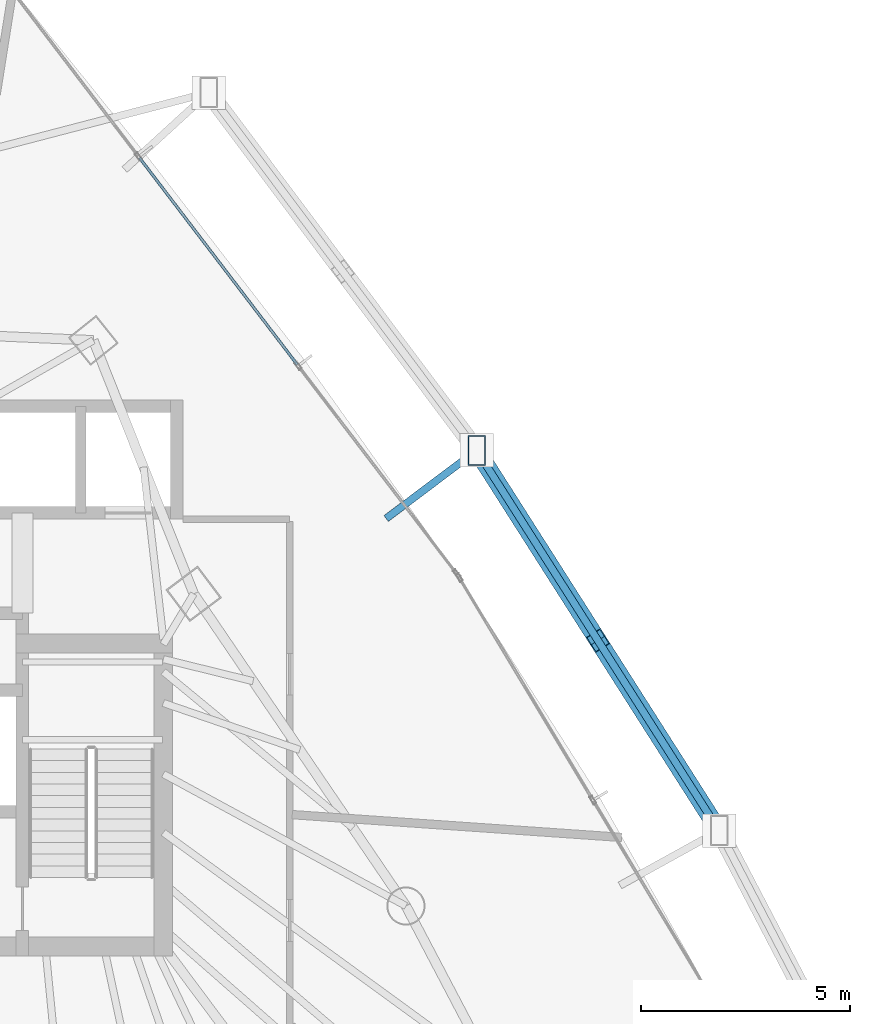
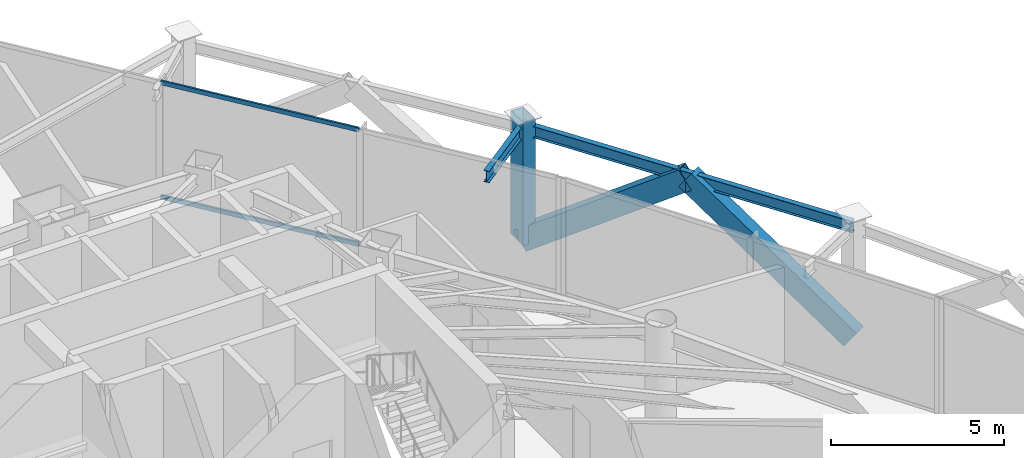
# One storey, part 25 of 33: 5 members, 2 beams, 1 element without a shape of its own.
"""IFC4 building model written with IfcOpenShell, lengths in metres."""

from ifc_helpers import new_model, si_unit, direction, frame, origin, origin_2d, place, context, subcontext, project, spatial, hollow_rectangle, i_section, extrude, material, layer, layer_set, material_profile, profile_set, type_object, element, aggregate, save


model = new_model("IFC4")

# Units and contexts
model_context = context("Model", 3, precision=1e-05, world=origin(), true_north=direction((0.0, 1.0)))
body_context = subcontext(model_context, "Body", "Model", "MODEL_VIEW")
ifc_project = project(units=[si_unit("LENGTHUNIT", "METRE"), si_unit("AREAUNIT", "SQUARE_METRE"), si_unit("VOLUMEUNIT", "CUBIC_METRE"), si_unit("PLANEANGLEUNIT", "RADIAN"), si_unit("MASSUNIT", "GRAM", prefix="KILO")], contexts=[model_context])

# Site, building, storey
site_placement = place(None, origin())
site = spatial("IfcSite", under=ifc_project, at=site_placement, CompositionType="ELEMENT")
building_placement = place(site_placement, origin())
building = spatial("IfcBuilding", under=site, at=building_placement, Name="Orvanel Arch Residences", CompositionType="ELEMENT")
storey_placement = place(building_placement, frame((0.0, 0.0, 59.89990234375)))
storey = spatial("IfcBuildingStorey", under=building, at=storey_placement, Name="L16", CompositionType="ELEMENT", Elevation=59.89990234375)

# Members
ifc_material_1 = material(Name="Structural steel AS/NZS 3678 Grade 350", Category="steel")
ifc_material_profile_1 = material_profile(ifc_material_1, hollow_rectangle(XDim=0.419921875, YDim=0.719970703125, WallThickness=0.02490234375, at=origin_2d()), Name="RHS720x420x25")
ifc_profile_set_1 = profile_set([ifc_material_profile_1], Name="Structural steel AS/NZS 3678 Grade 350")
member_type_1 = type_object("IfcMemberType", Name="BR-720RHS-EXT", PredefinedType="BRACE", material=ifc_profile_set_1)
member_1_placement = place(storey_placement, frame((52.926025390625, 29.443115234375, 0.0), z_axis=(-0.435313326687, 0.683074367325, 0.586439865896), x_axis=(-0.84330921779, -0.537428658698, 0.0)))
element("IfcMember", 1, at=member_1_placement, inside=storey, type_object=member_type_1, Name="L16 Exterior Sky-Garden V-Frame Chevron F3B2.1", PredefinedType="BRACE", context=body_context, shape_type="SweptSolid", body=[
    extrude(hollow_rectangle(XDim=0.419921875, YDim=0.719970703125, WallThickness=0.02490234375, at=origin_2d()), origin(), (0.0, 0.0, 1.0), 6.662109375),
])
member_2_placement = place(storey_placement, frame((47.1259765625, 38.544921875, 0.0), z_axis=(0.435272728504, -0.683104809904, 0.586434540684), x_axis=(0.843342787355, 0.537375979196, 0.0)))
element("IfcMember", 2, at=member_2_placement, inside=storey, type_object=member_type_1, Name="L16 Exterior Sky-Garden V-Frame Chevron F3B2.2", PredefinedType="BRACE", context=body_context, shape_type="SweptSolid", body=[
    extrude(hollow_rectangle(XDim=0.419921875, YDim=0.719970703125, WallThickness=0.02490234375, at=origin_2d()), origin(), (0.0, 0.0, 1.0), 6.662353515625),
])
ifc_material_profile_2 = material_profile(ifc_material_1, hollow_rectangle(XDim=0.419921875, YDim=0.719970703125, WallThickness=0.02490234375, at=origin_2d()), Name="RHS720x420x25")
ifc_profile_set_2 = profile_set([ifc_material_profile_2], Name="Structural steel AS/NZS 3678 Grade 350")
member_type_2 = type_object("IfcMemberType", Name="CH-720RHS-EXT", PredefinedType="CHORD", material=ifc_profile_set_2)
member_3_placement = place(storey_placement, frame((47.1259765625, 38.544921875, 0.0), z_axis=(0.0, 0.0, 1.0), x_axis=(1.0, 0.0, 0.0)))
element("IfcMember", 3, at=member_3_placement, inside=storey, type_object=member_type_2, Name="L16 Outer Perimeter Frame Post 11", PredefinedType="CHORD", context=body_context, shape_type="SweptSolid", body=[
    extrude(hollow_rectangle(XDim=0.419921875, YDim=0.719970703125, WallThickness=0.02490234375, at=origin_2d()), origin(), (0.0, 0.0, 1.0), 4.35009765625),
])

# Beams
ifc_material_2 = material(Name="Structural steel AS/NZS 3679.1 Grade 300 (300 MPa)", Category="steel")
ifc_material_profile_3 = material_profile(ifc_material_2, i_section(OverallWidth=0.177978515625, OverallDepth=0.406005859375, WebThickness=0.0078125, FlangeThickness=0.0126953125, at=origin_2d()), Name="410UB59.7")
ifc_profile_set_3 = profile_set([ifc_material_profile_3], Name="Structural steel AS/NZS 3679.1 Grade 300 (300 MPa)")
beam_type = type_object("IfcBeamType", Name="OB-410UB-EXT", PredefinedType="SPANDREL", material=ifc_profile_set_3)
beam_1_placement = place(storey_placement, frame((52.926025390625, 29.443115234375, 3.906982421875), z_axis=(-0.537402319027, 0.8433260031, 0.0), x_axis=(-0.8433260031, -0.537402319027, 0.0)))
element("IfcBeam", 4, at=beam_1_placement, inside=storey, type_object=beam_type, Name="L16 Outer Perimeter Floor Ring Beam 10", PredefinedType="SPANDREL", context=body_context, shape_type="SweptSolid", body=[
    extrude(i_section(OverallWidth=0.177978515625, OverallDepth=0.406005859375, WebThickness=0.0078125, FlangeThickness=0.0126953125, at=origin_2d()), origin(), (0.0, 0.0, 1.0), 10.792724609375),
])
beam_2_placement = place(storey_placement, frame((44.95703125, 36.9140625, 3.906982421875), z_axis=(0.79926527188, 0.600978389933, 0.0), x_axis=(-0.600978389933, 0.79926527188, 0.0)))
element("IfcBeam", 5, at=beam_2_placement, inside=storey, type_object=beam_type, Name="L16 Outer Frame Radial Tie Beam 11", PredefinedType="SPANDREL", context=body_context, shape_type="SweptSolid", body=[
    extrude(i_section(OverallWidth=0.177978515625, OverallDepth=0.406005859375, WebThickness=0.0078125, FlangeThickness=0.0126953125, at=origin_2d()), origin(), (0.0, 0.0, 1.0), 2.713623046875),
])

# Curtain wall, members
ifc_material_3 = material(Name="Bronze-anodised aluminium AA6063-T6", Category="aluminium")
ifc_layer = layer(ifc_material_3, 0.195068359375)
ifc_layer_set = layer_set([ifc_layer], Name="Bronze-anodised aluminium AA6063-T6")
curtain_wall_type = type_object("IfcCurtainWallType", Name="CW6-COM-SYS", PredefinedType="NOTDEFINED", material=ifc_layer_set)
curtain_wall_placement = place(storey_placement, origin())
curtain_wall = element("IfcCurtainWall", 6, at=curtain_wall_placement, inside=storey, type_object=curtain_wall_type, Name="L16 CW6-COM-SYS Unitised Curtain Wall", PredefinedType="NOTDEFINED")
ifc_material_profile_4 = material_profile(ifc_material_3, hollow_rectangle(XDim=0.06494140625, YDim=0.14990234375, WallThickness=0.00390625, at=origin_2d()), Name="ALU150x65x4")
ifc_profile_set_4 = profile_set([ifc_material_profile_4], Name="Bronze-anodised aluminium AA6063-T6")
member_type_3 = type_object("IfcMemberType", Name="TRN-150x65", PredefinedType="USERDEFINED", material=ifc_profile_set_4)
member_4_placement = place(storey_placement, frame((42.82958984375, 40.598876953125, 0.03271484375), z_axis=(-0.606562328216, 0.795035937546, 0.0), x_axis=(-0.795035937546, -0.606562328216, 0.0)))
member_4 = element("IfcMember", 7, at=member_4_placement, type_object=member_type_3, Name="CW-S6 transom 2.1", ObjectType="TRANSOM", PredefinedType="USERDEFINED", context=body_context, shape_type="SweptSolid", body=[
    extrude(hollow_rectangle(XDim=0.06494140625, YDim=0.14990234375, WallThickness=0.00390625, at=origin_2d()), origin(), (0.0, 0.0, 1.0), 6.218994140625),
])
member_5_placement = place(storey_placement, frame((42.82958984375, 40.598876953125, 4.07763671875), z_axis=(-0.606562328216, 0.795035937546, 0.0), x_axis=(-0.795035937546, -0.606562328216, 0.0)))
member_5 = element("IfcMember", 8, at=member_5_placement, type_object=member_type_3, Name="CW-S6 transom 2.2", ObjectType="TRANSOM", PredefinedType="USERDEFINED", context=body_context, shape_type="SweptSolid", body=[
    extrude(hollow_rectangle(XDim=0.06494140625, YDim=0.14990234375, WallThickness=0.00390625, at=origin_2d()), origin(), (0.0, 0.0, 1.0), 6.218994140625),
])
aggregate(curtain_wall, [member_4, member_5])

save(model, "model.ifc")
